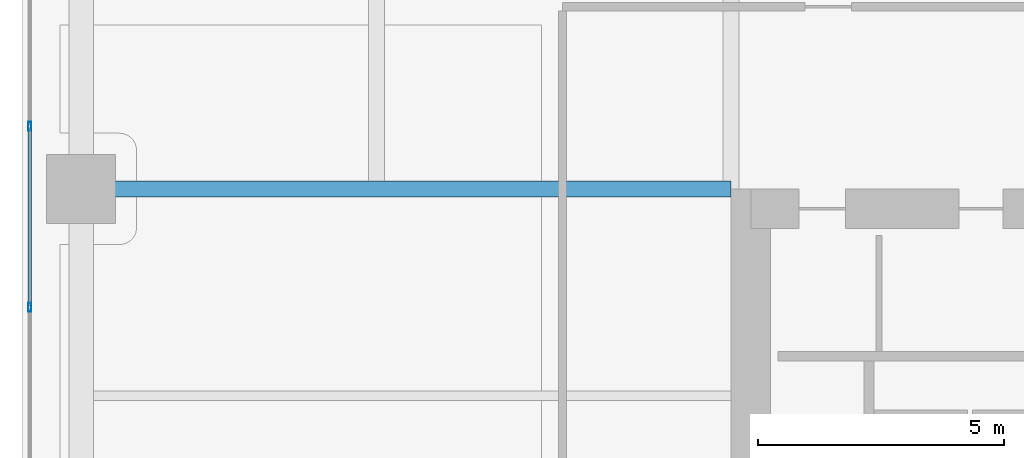
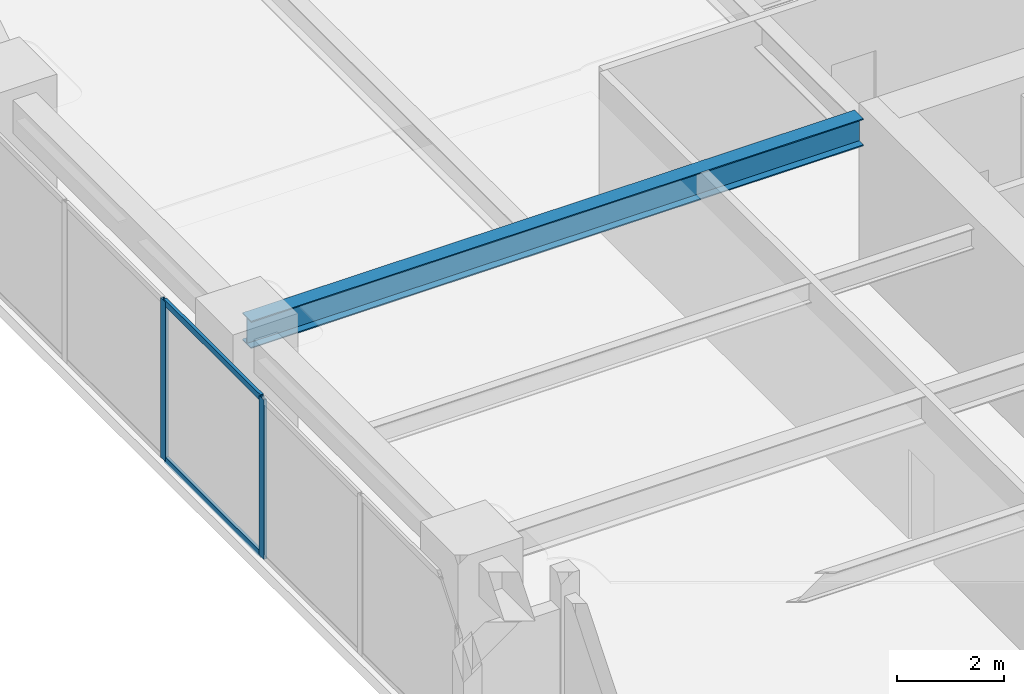
# One storey, part 8 of 24: 4 members, 1 beam, 1 element without a shape of its own.
"""IFC4 building model written with IfcOpenShell, lengths in metres."""

import ifcopenshell
import ifcopenshell.guid

model = None  # the IFC model being written
_history = None  # IfcOwnerHistory: only IFC2X3 demands one
_inside = {}  # id of a spatial element -> (the spatial element, [elements in it])
_under = {}  # id of a project, library or spatial element -> (it, [spatial elements below it])
_declared = {}  # id of a project -> (the project, [libraries it declares])
_typed = {}  # id of a type object -> (the type object, [elements of that type])
_made_of = {}  # id of a material, layer set ... -> (it, [elements and type objects made of it])


def new_model(schema):
    """Start an empty IFC model of exactly this schema.

    Asked for "IFC4X3", IfcOpenShell would pick the latest addendum, in which some entities
    have other attributes; the version numbers below select the first issue.
    IFC2X3 requires an IfcOwnerHistory on every rooted entity: one is made here for all.
    """
    global model, _history
    if schema == "IFC4X3":
        model = ifcopenshell.file(schema_version=(4, 3, 0, 0))
    else:
        model = ifcopenshell.file(schema=schema)
    _inside.clear()
    _under.clear()
    _declared.clear()
    _typed.clear()
    _made_of.clear()
    _history = None
    if model.schema == "IFC2X3":
        org = make("IfcOrganization", Name="unknown")
        user = make(
            "IfcPersonAndOrganization",
            ThePerson=make("IfcPerson", FamilyName="unknown"),
            TheOrganization=org,
        )
        app = make(
            "IfcApplication",
            ApplicationDeveloper=org,
            Version="unknown",
            ApplicationFullName="unknown",
            ApplicationIdentifier="unknown",
        )
        _history = make(
            "IfcOwnerHistory",
            OwningUser=user,
            OwningApplication=app,
            ChangeAction="ADDED",
            CreationDate=0,
        )
    return model


def make(cls, **values):
    """One entity of the class cls with the attributes given. An attribute that is None is left unset."""
    return model.create_entity(
        cls, **{name: value for name, value in values.items() if value is not None}
    )


def rooted(cls, **values):
    """An entity with a GlobalId (a new one), such as an element, a storey or a relation."""
    return make(cls, GlobalId=ifcopenshell.guid.new(), OwnerHistory=_history, **values)


def si_unit(unit_type, name, prefix=None):
    """IfcSIUnit, for example si_unit("LENGTHUNIT", "METRE", prefix="MILLI")."""
    return make("IfcSIUnit", UnitType=unit_type, Prefix=prefix, Name=name)


def assignment(units):
    """IfcUnitAssignment: the units of a project."""
    return None if units is None else make("IfcUnitAssignment", Units=units)


def point(xyz):
    """IfcCartesianPoint."""
    return None if xyz is None else make("IfcCartesianPoint", Coordinates=xyz)


def direction(xyz):
    """IfcDirection."""
    return None if xyz is None else make("IfcDirection", DirectionRatios=xyz)


def frame(location, z_axis=None, x_axis=None):
    """IfcAxis2Placement3D, a coordinate frame: its origin and axes. An axis left out is left unset."""
    return make(
        "IfcAxis2Placement3D",
        Location=point(location),
        Axis=direction(z_axis),
        RefDirection=direction(x_axis),
    )


def frame_2d(location, x_axis=None):
    """IfcAxis2Placement2D, a coordinate frame in the plane: its origin and x axis."""
    return make(
        "IfcAxis2Placement2D", Location=point(location), RefDirection=direction(x_axis)
    )


def origin():
    """The frame at (0, 0, 0) with its axes left unset."""
    return frame((0.0, 0.0, 0.0))


def origin_2d():
    """The frame at (0, 0) in the plane with its x axis left unset."""
    return frame_2d((0.0, 0.0))


def place(relative_to, where):
    """IfcLocalPlacement: puts the frame where relative to a parent placement (None: the world)."""
    return make(
        "IfcLocalPlacement", PlacementRelTo=relative_to, RelativePlacement=where
    )


def context(
    kind, dimensions, precision=None, world=None, true_north=None, identifier=None
):
    """IfcGeometricRepresentationContext, for example the 3D "Model" context."""
    return make(
        "IfcGeometricRepresentationContext",
        ContextIdentifier=identifier,
        ContextType=kind,
        CoordinateSpaceDimension=dimensions,
        Precision=precision,
        WorldCoordinateSystem=world,
        TrueNorth=true_north,
    )


def subcontext(parent, identifier, kind, view, scale=None):
    """IfcGeometricRepresentationSubContext, for example "Body" below "Model"."""
    return make(
        "IfcGeometricRepresentationSubContext",
        ContextIdentifier=identifier,
        ContextType=kind,
        ParentContext=parent,
        TargetScale=scale,
        TargetView=view,
    )


def project(units=None, contexts=None):
    """IfcProject with its units and contexts."""
    return rooted(
        "IfcProject",
        Name="project",
        RepresentationContexts=contexts,
        UnitsInContext=assignment(units),
    )


def spatial(cls, under=None, at=None, **own):
    """A site, building, storey or space (cls), placed at a placement, below another one or the project."""
    s = rooted(cls, ObjectPlacement=at, **own)
    if under is not None:
        _under.setdefault(under.id(), (under, []))[1].append(s)
    return s


def profile(cls, at=None, kind="AREA", **sizes):
    """A parametric profile (cls). Its sizes go by their IFC names, for example OverallWidth=200.0."""
    return make(cls, ProfileType=kind, Position=at, **sizes)


def hollow_rectangle(**sizes):
    """IfcRectangleHollowProfileDef."""
    return profile("IfcRectangleHollowProfileDef", **sizes)


def i_section(**sizes):
    """IfcIShapeProfileDef."""
    return profile("IfcIShapeProfileDef", **sizes)


def extrude(swept, where, along, depth):
    """IfcExtrudedAreaSolid: the profile swept, set in the frame where, extruded along a direction by depth."""
    return make(
        "IfcExtrudedAreaSolid",
        SweptArea=swept,
        Position=where,
        ExtrudedDirection=direction(along),
        Depth=depth,
    )


def shape(context_of_items, identifier, shape_type, items):
    """IfcShapeRepresentation: the items that make up one representation, for example the "Body"."""
    return make(
        "IfcShapeRepresentation",
        ContextOfItems=context_of_items,
        RepresentationIdentifier=identifier,
        RepresentationType=shape_type,
        Items=items,
    )


def material(Name=None, Category=None):
    """IfcMaterial."""
    return make("IfcMaterial", Name=Name, Category=Category)


def layer(
    of_material, thickness, ventilated=None, Name=None, Category=None, Priority=None
):
    """IfcMaterialLayer: one layer of a wall or slab, of a material (None: an air gap)."""
    return make(
        "IfcMaterialLayer",
        Material=of_material,
        LayerThickness=thickness,
        IsVentilated=ventilated,
        Name=Name,
        Category=Category,
        Priority=Priority,
    )


def layer_set(layers, Name=None):
    """IfcMaterialLayerSet."""
    return make("IfcMaterialLayerSet", MaterialLayers=layers, LayerSetName=Name)


def material_profile(
    of_material, cross_section, Name=None, Category=None, Priority=None
):
    """IfcMaterialProfile: a cross section and its material."""
    return make(
        "IfcMaterialProfile",
        Name=Name,
        Material=of_material,
        Profile=cross_section,
        Priority=Priority,
        Category=Category,
    )


def profile_set(profiles, Name=None, composite=None):
    """IfcMaterialProfileSet."""
    return make(
        "IfcMaterialProfileSet",
        Name=Name,
        MaterialProfiles=profiles,
        CompositeProfile=composite,
    )


def made_of(thing, what):
    """Note that an element or type object is made of a material, layer set ...; save() writes the relation."""
    if what is not None:
        _made_of.setdefault(what.id(), (what, []))[1].append(thing)
    return thing


def type_object(cls, material=None, **own):
    """A type object (cls), such as IfcWallType, which elements share."""
    return made_of(rooted(cls, **own), material)


def element(
    cls,
    number,
    at=None,
    inside=None,
    cuts=None,
    type_object=None,
    material=None,
    context=None,
    identifier="Body",
    shape_type=None,
    held_by="IfcProductDefinitionShape",
    body=None,
    shapes=None,
    **own,
):
    """One element of the class cls, such as IfcWall. Its Tag is "e" and its number.

    at: its placement. inside: the storey or other place that contains it. cuts: it is an
    opening in that element (IfcRelVoidsElement). A single representation is given by context,
    identifier, shape_type and body (its items); several are given by shapes. held_by: the class
    of the entity that holds the representations. save() writes the other relations.
    """
    e = rooted(cls, Tag="e%d" % number, ObjectPlacement=at, **own)
    if body is not None:
        shapes = [shape(context, identifier, shape_type, body)]
    if shapes is not None:
        e.Representation = make(held_by, Representations=shapes)
    if inside is not None:
        _inside.setdefault(inside.id(), (inside, []))[1].append(e)
    if cuts is not None:
        rooted(
            "IfcRelVoidsElement", RelatingBuildingElement=cuts, RelatedOpeningElement=e
        )
    if type_object is not None:
        _typed.setdefault(type_object.id(), (type_object, []))[1].append(e)
    return made_of(e, material)


def aggregate(whole, parts):
    """IfcRelAggregates: a whole, such as a stair, and the parts it consists of."""
    return rooted("IfcRelAggregates", RelatingObject=whole, RelatedObjects=parts)


def save(model, path):
    """Write the relations noted so far, then the file.

    IfcRelAggregates (storeys below a building ...), IfcRelContainedInSpatialStructure (elements
    in a storey), IfcRelDefinesByType, IfcRelAssociatesMaterial and IfcRelDeclares: one each for
    every whole, place, type object, material and project.
    """
    for whole, parts in _under.values():
        aggregate(whole, parts)
    for where, things in _inside.values():
        rooted(
            "IfcRelContainedInSpatialStructure",
            RelatedElements=things,
            RelatingStructure=where,
        )
    for kind, things in _typed.values():
        rooted("IfcRelDefinesByType", RelatedObjects=things, RelatingType=kind)
    for what, things in _made_of.values():
        rooted("IfcRelAssociatesMaterial", RelatedObjects=things, RelatingMaterial=what)
    for by, libraries in _declared.values():
        rooted("IfcRelDeclares", RelatingContext=by, RelatedDefinitions=libraries)
    model.write(path)


model = new_model("IFC4")

# Units and contexts
model_context = context("Model", 3, precision=1e-05, world=origin(), true_north=direction((0.0, 1.0)))
body_context = subcontext(model_context, "Body", "Model", "MODEL_VIEW")
ifc_project = project(units=[si_unit("LENGTHUNIT", "METRE"), si_unit("AREAUNIT", "SQUARE_METRE"), si_unit("VOLUMEUNIT", "CUBIC_METRE"), si_unit("PLANEANGLEUNIT", "RADIAN"), si_unit("MASSUNIT", "GRAM", prefix="KILO")], contexts=[model_context])

# Site, building, storey
site_placement = place(None, origin())
site = spatial("IfcSite", under=ifc_project, at=site_placement, CompositionType="ELEMENT")
building_placement = place(site_placement, origin())
building = spatial("IfcBuilding", under=site, at=building_placement, Name="Kiyonajd Concourse Tower", CompositionType="ELEMENT")
storey_placement = place(building_placement, frame((0.0, 0.0, 101.39990234375)))
storey = spatial("IfcBuildingStorey", under=building, at=storey_placement, Name="L26", CompositionType="ELEMENT", Elevation=101.39990234375)

# Beam
ifc_material_1 = material(Name="Steel ASTM A992 Grade 50", Category="steel")
ifc_material_profile_1 = material_profile(ifc_material_1, i_section(OverallWidth=0.326904296875, OverallDepth=0.6220703125, WebThickness=0.015380859375, FlangeThickness=0.0244140625, at=origin_2d()), Name="W610X195")
ifc_profile_set_1 = profile_set([ifc_material_profile_1], Name="Steel ASTM A992 Grade 50")
beam_type = type_object("IfcBeamType", Name="BM-TWR-610A", PredefinedType="BEAM", material=ifc_profile_set_1)
beam_placement = place(storey_placement, frame((19.199951171875, 44.39990234375, 3.3291015625), z_axis=(1.0, 0.0, 0.0), x_axis=(0.0, 1.0, 0.0)))
element("IfcBeam", 1, at=beam_placement, inside=storey, type_object=beam_type, Name="L26 West Lease Girder", PredefinedType="BEAM", context=body_context, shape_type="SweptSolid", body=[
    extrude(i_section(OverallWidth=0.326904296875, OverallDepth=0.6220703125, WebThickness=0.015380859375, FlangeThickness=0.0244140625, at=origin_2d()), origin(), (0.0, 0.0, 1.0), 13.199951171875),
])

# Curtain wall, members
ifc_material_2 = material(Name="Thermally Broken Anodised Aluminium", Category="aluminium")
ifc_layer = layer(ifc_material_2, 0.179931640625)
ifc_layer_set = layer_set([ifc_layer], Name="Thermally Broken Anodised Aluminium")
curtain_wall_type = type_object("IfcCurtainWallType", Name="CW-SYS-03", PredefinedType="NOTDEFINED", material=ifc_layer_set)
curtain_wall_placement = place(storey_placement, origin())
curtain_wall = element("IfcCurtainWall", 2, at=curtain_wall_placement, inside=storey, type_object=curtain_wall_type, Name="L26 Unitised Curtain Wall CW3", PredefinedType="NOTDEFINED")
ifc_material_profile_2 = material_profile(ifc_material_2, hollow_rectangle(XDim=0.06494140625, YDim=0.179931640625, WallThickness=0.00390625, at=origin_2d()), Name="MULL-65x180")
ifc_profile_set_2 = profile_set([ifc_material_profile_2], Name="Thermally Broken Anodised Aluminium")
member_type_1 = type_object("IfcMemberType", Name="MB-CW-MULL1", PredefinedType="MULLION", material=ifc_profile_set_2)
member_1_placement = place(storey_placement, frame((18.159912109375, 41.996337890625, 0.0), z_axis=(0.0, 0.0, 1.0), x_axis=(-1.0, 0.0, 0.0)))
member_1 = element("IfcMember", 3, at=member_1_placement, type_object=member_type_1, Name="CW3 mullion 3", PredefinedType="MULLION", context=body_context, shape_type="SweptSolid", body=[
    extrude(hollow_rectangle(XDim=0.06494140625, YDim=0.179931640625, WallThickness=0.00390625, at=origin_2d()), origin(), (0.0, 0.0, 1.0), 3.64013671875),
])
member_2_placement = place(storey_placement, frame((18.159912109375, 45.66943359375, 0.0), z_axis=(0.0, 0.0, 1.0), x_axis=(-1.0, 0.0, 0.0)))
member_2 = element("IfcMember", 4, at=member_2_placement, type_object=member_type_1, Name="CW3 mullion 4", PredefinedType="MULLION", context=body_context, shape_type="SweptSolid", body=[
    extrude(hollow_rectangle(XDim=0.06494140625, YDim=0.179931640625, WallThickness=0.00390625, at=origin_2d()), origin(), (0.0, 0.0, 1.0), 3.64013671875),
])
ifc_material_profile_3 = material_profile(ifc_material_2, hollow_rectangle(XDim=0.06494140625, YDim=0.139892578125, WallThickness=0.00390625, at=origin_2d()), Name="TRAN-65x140")
ifc_profile_set_3 = profile_set([ifc_material_profile_3], Name="Thermally Broken Anodised Aluminium")
member_type_2 = type_object("IfcMemberType", Name="MB-CW-TRAN1", PredefinedType="USERDEFINED", material=ifc_profile_set_3)
member_3_placement = place(storey_placement, frame((18.159912109375, 42.02880859375, 0.03271484375), z_axis=(0.0, 1.0, 0.0), x_axis=(-1.0, 0.0, 0.0)))
member_3 = element("IfcMember", 5, at=member_3_placement, type_object=member_type_2, Name="CW3 transom 3.1", ObjectType="TRANSOM", PredefinedType="USERDEFINED", context=body_context, shape_type="SweptSolid", body=[
    extrude(hollow_rectangle(XDim=0.06494140625, YDim=0.139892578125, WallThickness=0.00390625, at=origin_2d()), origin(), (0.0, 0.0, 1.0), 3.608154296875),
])
member_4_placement = place(storey_placement, frame((18.159912109375, 42.02880859375, 3.607666015625), z_axis=(0.0, 1.0, 0.0), x_axis=(-1.0, 0.0, 0.0)))
member_4 = element("IfcMember", 6, at=member_4_placement, type_object=member_type_2, Name="CW3 transom 3.2", ObjectType="TRANSOM", PredefinedType="USERDEFINED", context=body_context, shape_type="SweptSolid", body=[
    extrude(hollow_rectangle(XDim=0.06494140625, YDim=0.139892578125, WallThickness=0.00390625, at=origin_2d()), origin(), (0.0, 0.0, 1.0), 3.608154296875),
])
aggregate(curtain_wall, [member_1, member_2, member_3, member_4])

save(model, "model.ifc")
